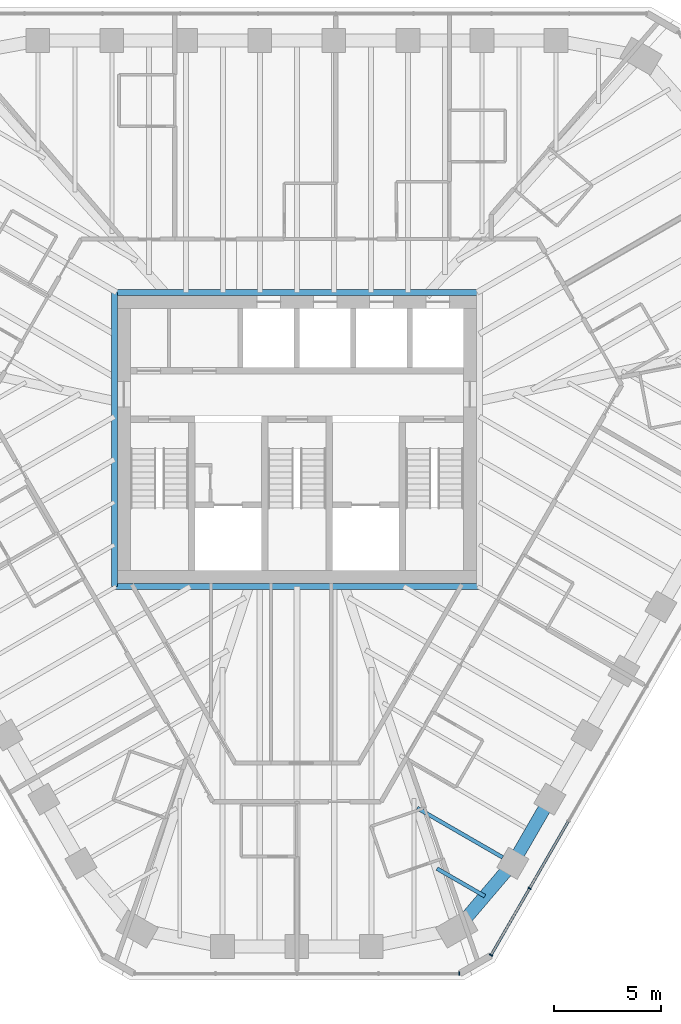
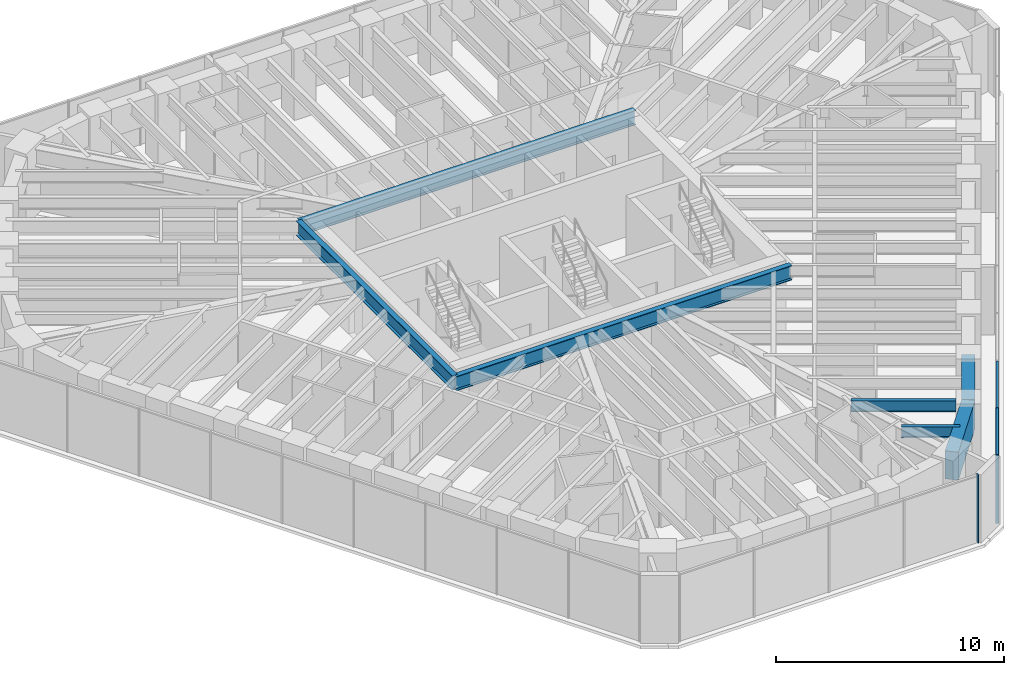
# One storey, part 4 of 14: 7 beams, 5 members, 2 elements without a shape of their own.
"""IFC4 building model written with IfcOpenShell, lengths in metres."""

from ifc_helpers import new_model, si_unit, direction, frame, origin, origin_2d, place, context, subcontext, project, spatial, rectangle, i_section, extrude, material, material_profile, profile_set, type_object, element, aggregate, save


model = new_model("IFC4")

# Units and contexts
model_context = context("Model", 3, precision=1e-05, world=origin(), true_north=direction((0.0, 1.0)))
body_context = subcontext(model_context, "Body", "Model", "MODEL_VIEW")
ifc_project = project(units=[si_unit("LENGTHUNIT", "METRE"), si_unit("AREAUNIT", "SQUARE_METRE"), si_unit("VOLUMEUNIT", "CUBIC_METRE"), si_unit("PLANEANGLEUNIT", "RADIAN"), si_unit("MASSUNIT", "GRAM", prefix="KILO")], contexts=[model_context])

# Site, building, storey
site_placement = place(None, origin())
site = spatial("IfcSite", under=ifc_project, at=site_placement, CompositionType="ELEMENT")
building_placement = place(site_placement, origin())
building = spatial("IfcBuilding", under=site, at=building_placement, Name="Sandreach Pilgrim Tower", CompositionType="ELEMENT")
storey_placement = place(building_placement, frame((0.0, 0.0, 276.0)))
storey = spatial("IfcBuildingStorey", under=building, at=storey_placement, Name="L69", CompositionType="ELEMENT", Elevation=276.0)

# Curtain wall, members
ifc_material_1 = material(Name="Aluminium framed curtain wall", Category="aluminium")
curtain_wall_type = type_object("IfcCurtainWallType", Name="Suite tower curtain wall", PredefinedType="NOTDEFINED", material=ifc_material_1)
curtain_wall_1_placement = place(storey_placement, origin())
curtain_wall_1 = element("IfcCurtainWall", 1, at=curtain_wall_1_placement, inside=storey, type_object=curtain_wall_type, Name="CW-4 L69 SE", PredefinedType="NOTDEFINED")
ifc_material_2 = material(Name="Aluminium extrusion", Category="aluminium")
ifc_material_profile_1 = material_profile(ifc_material_2, rectangle(XDim=0.06005859375, YDim=0.159912109375, at=origin_2d()), Name="CW-4M 60X160")
ifc_profile_set_1 = profile_set([ifc_material_profile_1], Name="Aluminium extrusion")
member_type_1 = type_object("IfcMemberType", Name="CW-4 mullion", PredefinedType="MULLION", material=ifc_profile_set_1)
member_1_placement = place(storey_placement, frame((10.83203125, -20.891357421875, 0.0), z_axis=(0.0, 0.0, 1.0), x_axis=(-0.5, -0.866025403784, 0.0)))
member_1 = element("IfcMember", 2, at=member_1_placement, type_object=member_type_1, Name="CW-4 mullion 9", PredefinedType="MULLION", context=body_context, shape_type="SweptSolid", body=[
    extrude(rectangle(XDim=0.06005859375, YDim=0.159912109375, at=origin_2d()), origin(), (0.0, 0.0, 1.0), 3.639892578125),
])
member_2_placement = place(storey_placement, frame((9.035888671875, -24.001953125, 0.0), z_axis=(0.0, 0.0, 1.0), x_axis=(-0.5, -0.866025403784, 0.0)))
member_2 = element("IfcMember", 3, at=member_2_placement, type_object=member_type_1, Name="CW-4 mullion 10", PredefinedType="MULLION", context=body_context, shape_type="SweptSolid", body=[
    extrude(rectangle(XDim=0.06005859375, YDim=0.159912109375, at=origin_2d()), origin(), (0.0, 0.0, 1.0), 3.639892578125),
])

# Curtain wall, member
curtain_wall_2_placement = place(storey_placement, origin())
curtain_wall_2 = element("IfcCurtainWall", 4, at=curtain_wall_2_placement, inside=storey, type_object=curtain_wall_type, Name="CW-4 L69 S", PredefinedType="NOTDEFINED")
member_3_placement = place(storey_placement, frame((7.553466796875, -24.858154296875, 0.0), z_axis=(0.0, 0.0, 1.0), x_axis=(-1.0, 0.0, 0.0)))
member_3 = element("IfcMember", 5, at=member_3_placement, type_object=member_type_1, Name="CW-4 mullion 1", PredefinedType="MULLION", context=body_context, shape_type="SweptSolid", body=[
    extrude(rectangle(XDim=0.06005859375, YDim=0.159912109375, at=origin_2d()), origin(), (0.0, 0.0, 1.0), 3.639892578125),
])
aggregate(curtain_wall_2, [member_3])

# Member
ifc_material_3 = material(Name="Aluminium extrusion", Category="aluminium")
ifc_material_profile_2 = material_profile(ifc_material_3, rectangle(XDim=0.1201171875, YDim=0.070068359375, at=origin_2d()), Name="CW-4T 120X70")
ifc_profile_set_2 = profile_set([ifc_material_profile_2], Name="Aluminium extrusion")
member_type_2 = type_object("IfcMemberType", Name="CW-4 transom", PredefinedType="USERDEFINED", material=ifc_profile_set_2)
member_4_placement = place(storey_placement, frame((12.6279296875, -17.78076171875, 3.60498046875), z_axis=(-0.500009219579, -0.866020080793, 0.0), x_axis=(0.866020080793, -0.500009219579, 0.0)))
member_4 = element("IfcMember", 6, at=member_4_placement, type_object=member_type_2, Name="CW-4 head transom 8", ObjectType="TRANSOM", PredefinedType="USERDEFINED", context=body_context, shape_type="SweptSolid", body=[
    extrude(rectangle(XDim=0.1201171875, YDim=0.070068359375, at=origin_2d()), origin(), (0.0, 0.0, 1.0), 3.56201171875),
])

member_5_placement = place(storey_placement, frame((10.81689453125, -20.91748046875, 3.60498046875), z_axis=(-0.499997709859, -0.866026725994, 0.0), x_axis=(0.866026725994, -0.499997709859, 0.0)))
member_5 = element("IfcMember", 7, at=member_5_placement, type_object=member_type_2, Name="CW-4 head transom 9", ObjectType="TRANSOM", PredefinedType="USERDEFINED", context=body_context, shape_type="SweptSolid", body=[
    extrude(rectangle(XDim=0.1201171875, YDim=0.070068359375, at=origin_2d()), origin(), (0.0, 0.0, 1.0), 3.53173828125),
])

aggregate(curtain_wall_1, [member_1, member_2, member_4, member_5])

# Beams
ifc_material_4 = material(Name="Steel ASTM A992 Grade 50", Category="steel")
ifc_material_profile_3 = material_profile(ifc_material_4, i_section(OverallWidth=0.2666015625, OverallDepth=0.77978515625, WebThickness=0.0166015625, FlangeThickness=0.030029296875, at=origin_2d()), Name="W30X148")
ifc_profile_set_3 = profile_set([ifc_material_profile_3], Name="Steel ASTM A992 Grade 50")
beam_type_1 = type_object("IfcBeamType", Name="Core edge beam W30X148", PredefinedType="BEAM", material=ifc_profile_set_3)
for number, where, z_axis, x_axis, name in (
    (8, (-8.493408203125, 6.84326171875, 3.25), (1.0, 0.0, 0.0), (0.0, 1.0, 0.0), "BM L69 CEN"),
    (9, (8.493408203125, -6.84326171875, 3.25), (-1.0, 0.0, 0.0), (0.0, -1.0, 0.0), "BM L69 CES"),
):
    element("IfcBeam", number, at=place(storey_placement, frame(where, z_axis=z_axis, x_axis=x_axis)), inside=storey, type_object=beam_type_1, Name=name, PredefinedType="BEAM", context=body_context, shape_type="SweptSolid", body=[
        extrude(i_section(OverallWidth=0.2666015625, OverallDepth=0.77978515625, WebThickness=0.0166015625, FlangeThickness=0.030029296875, at=origin_2d()), origin(), (0.0, 0.0, 1.0), 16.98681640625),
    ])
beam_1_placement = place(storey_placement, frame((-8.493408203125, -6.84326171875, 3.25), z_axis=(0.0, 1.0, 0.0), x_axis=(-1.0, 0.0, 0.0)))
element("IfcBeam", 10, at=beam_1_placement, inside=storey, type_object=beam_type_1, Name="BM L69 CEW", PredefinedType="BEAM", context=body_context, shape_type="SweptSolid", body=[
    extrude(i_section(OverallWidth=0.2666015625, OverallDepth=0.77978515625, WebThickness=0.0166015625, FlangeThickness=0.030029296875, at=origin_2d()), origin(), (0.0, 0.0, 1.0), 13.6865234375),
])
ifc_material_5 = material(Name="Steel ASTM A992 Grade 50", Category="steel")
ifc_material_profile_4 = material_profile(ifc_material_5, i_section(OverallWidth=0.1787109375, OverallDepth=0.60205078125, WebThickness=0.010986328125, FlangeThickness=0.014892578125, at=origin_2d()), Name="W24X62")
ifc_profile_set_4 = profile_set([ifc_material_profile_4], Name="Steel ASTM A992 Grade 50")
beam_type_2 = type_object("IfcBeamType", Name="Floor beam W24X62", PredefinedType="BEAM", material=ifc_profile_set_4)
beam_2_placement = place(storey_placement, frame((9.573974609375, -19.450439453125, 3.339111328125), z_axis=(-0.866024320471, 0.50000187635, 0.0), x_axis=(-0.50000187635, -0.866024320471, 0.0)))
element("IfcBeam", 11, at=beam_2_placement, inside=storey, type_object=beam_type_2, Name="BM L69 F21", PredefinedType="BEAM", context=body_context, shape_type="SweptSolid", body=[
    extrude(i_section(OverallWidth=0.1787109375, OverallDepth=0.60205078125, WebThickness=0.010986328125, FlangeThickness=0.014892578125, at=origin_2d()), origin(), (0.0, 0.0, 1.0), 4.58837890625),
])
beam_3_placement = place(storey_placement, frame((8.74462890625, -21.25732421875, 3.339111328125), z_axis=(-0.866041575714, 0.49997198835, 0.0), x_axis=(-0.49997198835, -0.866041575714, 0.0)))
element("IfcBeam", 12, at=beam_3_placement, inside=storey, type_object=beam_type_2, Name="BM L69 FM21", PredefinedType="BEAM", context=body_context, shape_type="SweptSolid", body=[
    extrude(i_section(OverallWidth=0.1787109375, OverallDepth=0.60205078125, WebThickness=0.010986328125, FlangeThickness=0.014892578125, at=origin_2d()), origin(), (0.0, 0.0, 1.0), 2.569091796875),
])
ifc_material_6 = material(Name="Concrete 10000 psi", Category="concrete")
ifc_material_profile_5 = material_profile(ifc_material_6, rectangle(XDim=0.60009765625, YDim=1.5, at=origin_2d()), Name="RC600X1500")
ifc_profile_set_5 = profile_set([ifc_material_profile_5], Name="Concrete 10000 psi")
beam_type_3 = type_object("IfcBeamType", Name="Spandrel beam RC600X1500", PredefinedType="SPANDREL", material=ifc_profile_set_5)
beam_4_placement = place(storey_placement, frame((11.772705078125, -16.741943359375, 2.889892578125), z_axis=(-0.499988291006, -0.866032163869, 0.0), x_axis=(0.866032163869, -0.499988291006, 0.0)))
element("IfcBeam", 13, at=beam_4_placement, inside=storey, type_object=beam_type_3, Name="BM L69 SP20", PredefinedType="SPANDREL", context=body_context, shape_type="SweptSolid", body=[
    extrude(rectangle(XDim=0.60009765625, YDim=1.5, at=origin_2d()), origin(), (0.0, 0.0, 1.0), 3.44482421875),
])
beam_5_placement = place(storey_placement, frame((10.05029296875, -19.725341796875, 2.889892578125), z_axis=(-0.648586192707, -0.761141215958, 0.0), x_axis=(0.761141215958, -0.648586192707, 0.0)))
element("IfcBeam", 14, at=beam_5_placement, inside=storey, type_object=beam_type_3, Name="BM L69 SP21", PredefinedType="SPANDREL", context=body_context, shape_type="SweptSolid", body=[
    extrude(rectangle(XDim=0.60009765625, YDim=1.5, at=origin_2d()), origin(), (0.0, 0.0, 1.0), 4.02587890625),
])

save(model, "model.ifc")
